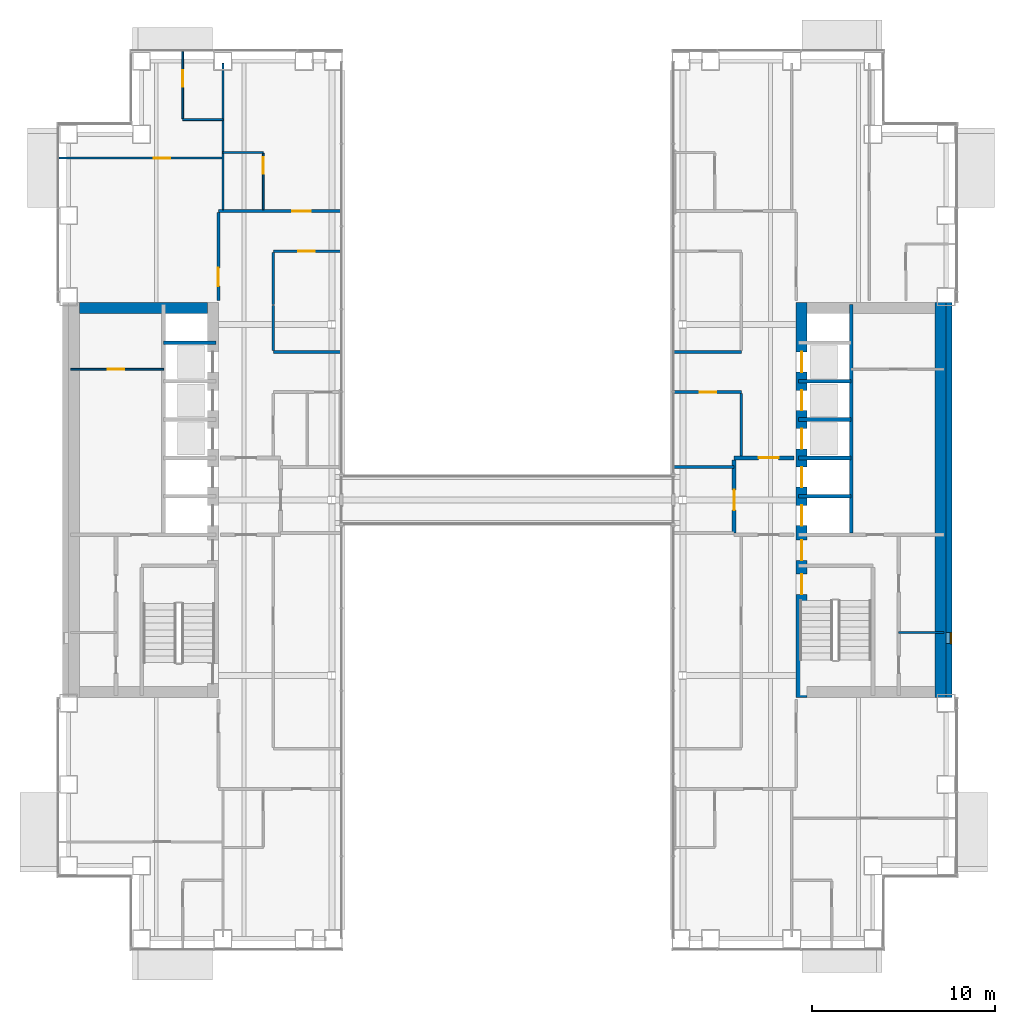
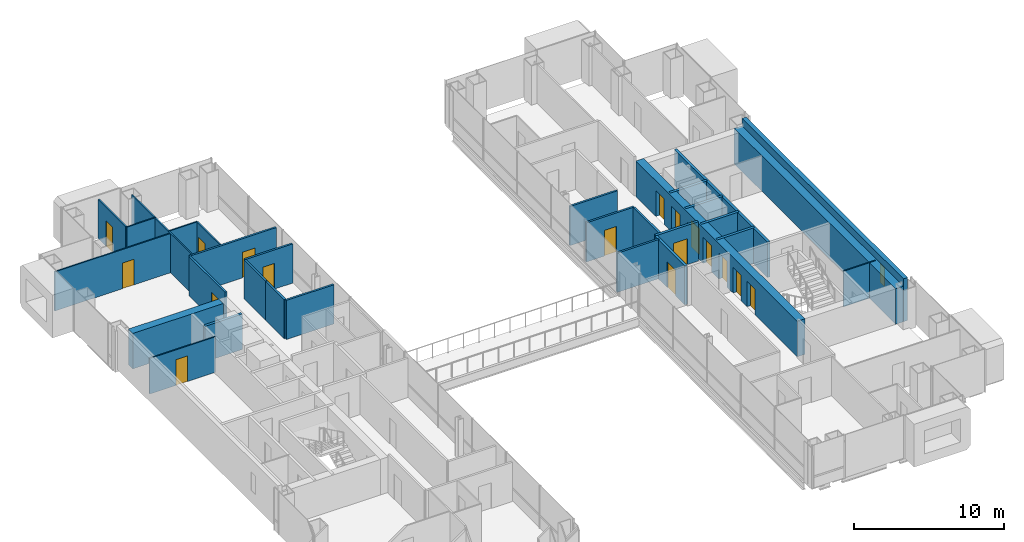
# One storey, part 16 of 21: 30 walls, 17 doors, 1 window, 18 openings.
"""IFC4 building model written with IfcOpenShell, lengths in metres."""

from ifc_helpers import new_model, si_unit, direction, frame, frame_2d, origin, place, context, subcontext, project, spatial, rectangle, extrude, material, layer, layer_set, type_object, element, fill, save


model = new_model("IFC4")

# Units and contexts
model_context = context("Model", 3, precision=1e-05, world=origin(), true_north=direction((0.0, 1.0)))
body_context = subcontext(model_context, "Body", "Model", "MODEL_VIEW")
ifc_project = project(units=[si_unit("LENGTHUNIT", "METRE"), si_unit("AREAUNIT", "SQUARE_METRE"), si_unit("VOLUMEUNIT", "CUBIC_METRE"), si_unit("PLANEANGLEUNIT", "RADIAN"), si_unit("MASSUNIT", "GRAM", prefix="KILO")], contexts=[model_context])

# Site, building, storey
site_placement = place(None, origin())
site = spatial("IfcSite", under=ifc_project, at=site_placement, CompositionType="ELEMENT")
building_placement = place(site_placement, origin())
building = spatial("IfcBuilding", under=site, at=building_placement, Name="Cobrizo Arcos Hotel Tower", CompositionType="ELEMENT")
storey_placement = place(building_placement, frame((0.0, 0.0, 81.0)))
storey = spatial("IfcBuildingStorey", under=building, at=storey_placement, Name="L19", CompositionType="ELEMENT", Elevation=81.0)

# Wall
ifc_material_1 = material(Name="Gypsum board partition")
ifc_layer_1 = layer(ifc_material_1, 0.14990234375)
ifc_layer_set_1 = layer_set([ifc_layer_1], Name="Corridor wall EI 60 150")
wall_type_1 = type_object("IfcWallType", Name="Corridor wall EI 60 150", PredefinedType="PARTITIONING", material=ifc_layer_set_1)
wall_1_placement = place(storey_placement, frame((9.1201171875, 1.800048828125, 0.0), z_axis=(0.0, 0.0, 1.0), x_axis=(1.0, 0.0, 0.0)))
element("IfcWall", 1, at=wall_1_placement, inside=storey, type_object=wall_type_1, Name="Partition 024", PredefinedType="PARTITIONING", context=body_context, shape_type="SweptSolid", body=[
    extrude(rectangle(XDim=3.27978515625, YDim=0.14990234375, at=frame_2d((1.639892578125, 0.0))), origin(), (0.0, 0.0, 1.0), 3.199951171875),
])

# Wall, opening, door
wall_2_placement = place(storey_placement, frame((9.1201171875, 5.89990234375, 0.0), z_axis=(0.0, 0.0, 1.0), x_axis=(1.0, 0.0, 0.0)))
wall_2 = element("IfcWall", 2, at=wall_2_placement, inside=storey, type_object=wall_type_1, Name="Partition 032", PredefinedType="PARTITIONING", context=body_context, shape_type="SweptSolid", body=[
    extrude(rectangle(XDim=3.679931640625, YDim=0.14990234375, at=frame_2d((1.83984375, 0.0))), origin(), (0.0, 0.0, 1.0), 3.199951171875),
])
opening_1_placement = place(wall_2_placement, frame((1.405029296875, 0.0, 0.0)))
opening_1 = element("IfcOpeningElement", 3, at=opening_1_placement, cuts=wall_2, Name="Opening RD-13", PredefinedType="OPENING", context=body_context, shape_type="SweptSolid", body=[
    extrude(rectangle(XDim=0.89990234375, YDim=2.10009765625, at=frame_2d((0.449951171875, 1.050048828125))), frame((0.0, 0.0869140625, 0.0), z_axis=(0.0, -1.0, 0.0), x_axis=(1.0, 0.0, 0.0)), (0.0, 0.0, 1.0), 0.173828125),
])
ifc_material_2 = material(Name="Timber door leaf", Category="wood")
door_type_1 = type_object("IfcDoorType", Name="Room door FD30 900x2100", OperationType="SINGLE_SWING_LEFT", PredefinedType="DOOR", material=ifc_material_2)
door_1_placement = place(opening_1_placement, origin())
door_1 = element("IfcDoor", 4, at=door_1_placement, inside=storey, type_object=door_type_1, Name="Door RD-13", OperationType="SINGLE_SWING_LEFT", OverallHeight=2.10009765625, OverallWidth=0.89990234375, PredefinedType="DOOR", context=body_context, shape_type="SweptSolid", body=[
    extrude(rectangle(XDim=0.89990234375, YDim=2.10009765625, at=frame_2d((0.449951171875, 1.050048828125))), frame((0.0, 0.02490234375, 0.0), z_axis=(0.0, -1.0, 0.0), x_axis=(1.0, 0.0, 0.0)), (0.0, 0.0, 1.0), 0.050048828125),
])
fill(opening_1, door_1)

# Walls
for number, where, z_axis, x_axis, name in (
    (5, (-12.800048828125, 8.10009765625, 0.0), (0.0, 0.0, 1.0), (1.0, 0.0, 0.0), "Partition 037"),
    (6, (9.1201171875, 8.10009765625, 0.0), (0.0, 0.0, 1.0), (1.0, 0.0, 0.0), "Partition 038"),
):
    element("IfcWall", number, at=place(storey_placement, frame(where, z_axis=z_axis, x_axis=x_axis)), inside=storey, type_object=wall_type_1, Name=name, PredefinedType="PARTITIONING", context=body_context, shape_type="SweptSolid", body=[
        extrude(rectangle(XDim=3.679931640625, YDim=0.14990234375, at=frame_2d((1.83984375, 0.0))), origin(), (0.0, 0.0, 1.0), 3.199951171875),
    ])

# Wall, opening, door
wall_3_placement = place(storey_placement, frame((-12.800048828125, 13.60009765625, 0.0), z_axis=(0.0, 0.0, 1.0), x_axis=(1.0, 0.0, 0.0)))
wall_3 = element("IfcWall", 7, at=wall_3_placement, inside=storey, type_object=wall_type_1, Name="Partition 041", PredefinedType="PARTITIONING", context=body_context, shape_type="SweptSolid", body=[
    extrude(rectangle(XDim=3.679931640625, YDim=0.14990234375, at=frame_2d((1.83984375, 0.0))), origin(), (0.0, 0.0, 1.0), 3.199951171875),
])
opening_2_placement = place(wall_3_placement, frame((1.375, 0.0, 0.0)))
opening_2 = element("IfcOpeningElement", 8, at=opening_2_placement, cuts=wall_3, Name="Opening RD-15", PredefinedType="OPENING", context=body_context, shape_type="SweptSolid", body=[
    extrude(rectangle(XDim=0.89990234375, YDim=2.10009765625, at=frame_2d((0.449951171875, 1.050048828125))), frame((0.0, 0.0869140625, 0.0), z_axis=(0.0, -1.0, 0.0), x_axis=(1.0, 0.0, 0.0)), (0.0, 0.0, 1.0), 0.173828125),
])
door_2_placement = place(opening_2_placement, origin())
door_2 = element("IfcDoor", 9, at=door_2_placement, inside=storey, type_object=door_type_1, Name="Door RD-15", OperationType="SINGLE_SWING_RIGHT", OverallHeight=2.10009765625, OverallWidth=0.89990234375, PredefinedType="DOOR", context=body_context, shape_type="SweptSolid", body=[
    extrude(rectangle(XDim=0.89990234375, YDim=2.10009765625, at=frame_2d((0.449951171875, 1.050048828125))), frame((0.0, 0.02490234375, 0.0), z_axis=(0.0, -1.0, 0.0), x_axis=(1.0, 0.0, 0.0)), (0.0, 0.0, 1.0), 0.050048828125),
])
fill(opening_2, door_2)

wall_4_placement = place(storey_placement, frame((-15.800048828125, 15.800048828125, 0.0), z_axis=(0.0, 0.0, 1.0), x_axis=(1.0, 0.0, 0.0)))
wall_4 = element("IfcWall", 10, at=wall_4_placement, inside=storey, type_object=wall_type_1, Name="Partition 044", PredefinedType="PARTITIONING", context=body_context, shape_type="SweptSolid", body=[
    extrude(rectangle(XDim=6.679931640625, YDim=0.14990234375, at=frame_2d((3.33984375, 0.0))), origin(), (0.0, 0.0, 1.0), 3.199951171875),
])
opening_3_placement = place(wall_4_placement, frame((4.047119140625, 0.0, 0.0)))
opening_3 = element("IfcOpeningElement", 11, at=opening_3_placement, cuts=wall_4, Name="Opening GD-02", PredefinedType="OPENING", context=body_context, shape_type="SweptSolid", body=[
    extrude(rectangle(XDim=1.0, YDim=2.10009765625, at=frame_2d((0.5, 1.050048828125))), frame((0.0, 0.0869140625, 0.0), z_axis=(0.0, -1.0, 0.0), x_axis=(1.0, 0.0, 0.0)), (0.0, 0.0, 1.0), 0.173828125),
])
door_type_2 = type_object("IfcDoorType", Name="Guest room door FD30S 1000x2100", OperationType="SINGLE_SWING_LEFT", PredefinedType="DOOR", material=ifc_material_2)
door_3_placement = place(opening_3_placement, origin())
door_3 = element("IfcDoor", 12, at=door_3_placement, inside=storey, type_object=door_type_2, Name="Door GD-02", OperationType="SINGLE_SWING_LEFT", OverallHeight=2.10009765625, OverallWidth=1.0, PredefinedType="DOOR", context=body_context, shape_type="SweptSolid", body=[
    extrude(rectangle(XDim=1.0, YDim=2.10009765625, at=frame_2d((0.5, 1.050048828125))), frame((0.0, 0.02490234375, 0.0), z_axis=(0.0, -1.0, 0.0), x_axis=(1.0, 0.0, 0.0)), (0.0, 0.0, 1.0), 0.050048828125),
])
fill(opening_3, door_3)

wall_5_placement = place(storey_placement, frame((-15.800048828125, 10.919921875, 0.0), z_axis=(0.0, 0.0, 1.0), x_axis=(0.0, 1.0, 0.0)))
wall_5 = element("IfcWall", 13, at=wall_5_placement, inside=storey, type_object=wall_type_1, Name="Partition 056", PredefinedType="PARTITIONING", context=body_context, shape_type="SweptSolid", body=[
    extrude(rectangle(XDim=4.80517578125, YDim=0.14990234375, at=frame_2d((2.402587890625, 0.0))), origin(), (0.0, 0.0, 1.0), 3.199951171875),
])
opening_4_placement = place(wall_5_placement, frame((0.780029296875, 0.0, 0.0)))
opening_4 = element("IfcOpeningElement", 14, at=opening_4_placement, cuts=wall_5, Name="Opening GD-06", PredefinedType="OPENING", context=body_context, shape_type="SweptSolid", body=[
    extrude(rectangle(XDim=1.0, YDim=2.10009765625, at=frame_2d((0.5, 1.050048828125))), frame((0.0, 0.0869140625, 0.0), z_axis=(0.0, -1.0, 0.0), x_axis=(1.0, 0.0, 0.0)), (0.0, 0.0, 1.0), 0.173828125),
])
door_4_placement = place(opening_4_placement, origin())
door_4 = element("IfcDoor", 15, at=door_4_placement, inside=storey, type_object=door_type_2, Name="Door GD-06", OperationType="SINGLE_SWING_LEFT", OverallHeight=2.10009765625, OverallWidth=1.0, PredefinedType="DOOR", context=body_context, shape_type="SweptSolid", body=[
    extrude(rectangle(XDim=1.0, YDim=2.10009765625, at=frame_2d((0.5, 1.050048828125))), frame((0.0, 0.02490234375, 0.0), z_axis=(0.0, -1.0, 0.0), x_axis=(1.0, 0.0, 0.0)), (0.0, 0.0, 1.0), 0.050048828125),
])
fill(opening_4, door_4)

# Walls
wall_6_placement = place(storey_placement, frame((-12.800048828125, 8.175048828125, 0.0), z_axis=(0.0, 0.0, 1.0), x_axis=(0.0, 1.0, 0.0)))
element("IfcWall", 16, at=wall_6_placement, inside=storey, type_object=wall_type_1, Name="Partition 063", PredefinedType="PARTITIONING", context=body_context, shape_type="SweptSolid", body=[
    extrude(rectangle(XDim=2.474853515625, YDim=0.14990234375, at=frame_2d((1.2373046875, 0.0))), origin(), (0.0, 0.0, 1.0), 3.199951171875),
])
wall_7_placement = place(storey_placement, frame((-12.800048828125, 10.699951171875, 0.0), z_axis=(0.0, 0.0, 1.0), x_axis=(0.0, 1.0, 0.0)))
element("IfcWall", 17, at=wall_7_placement, inside=storey, type_object=wall_type_1, Name="Partition 064", PredefinedType="PARTITIONING", context=body_context, shape_type="SweptSolid", body=[
    extrude(rectangle(XDim=2.824951171875, YDim=0.14990234375, at=frame_2d((1.41259765625, 0.0))), origin(), (0.0, 0.0, 1.0), 3.199951171875),
])
wall_8_placement = place(storey_placement, frame((12.800048828125, 2.39990234375, 0.0), z_axis=(0.0, 0.0, 1.0), x_axis=(0.0, 1.0, 0.0)))
element("IfcWall", 18, at=wall_8_placement, inside=storey, type_object=wall_type_1, Name="Partition 074", PredefinedType="PARTITIONING", context=body_context, shape_type="SweptSolid", body=[
    extrude(rectangle(XDim=3.425048828125, YDim=0.14990234375, at=frame_2d((1.71240234375, 0.0))), origin(), (0.0, 0.0, 1.0), 3.199951171875),
])

# Wall, opening, window
ifc_material_3 = material(Name="Aluminium composite panel pale metal", Category="aluminium")
ifc_layer_2 = layer(ifc_material_3, 0.324951171875)
ifc_layer_set_2 = layer_set([ifc_layer_2], Name="EW-1 insulated panel wall 325")
wall_type_2 = type_object("IfcWallType", Name="EW-1 insulated panel wall 325", PredefinedType="SOLIDWALL", material=ifc_layer_set_2)
wall_9_placement = place(storey_placement, frame((24.16259765625, -10.800048828125, 0.0), z_axis=(0.0, 0.0, 1.0), x_axis=(0.0, 1.0, 0.0)))
wall_9 = element("IfcWall", 19, at=wall_9_placement, inside=storey, type_object=wall_type_2, Name="Core face wall L19 E", PredefinedType="SOLIDWALL", context=body_context, shape_type="SweptSolid", body=[
    extrude(rectangle(XDim=21.60009765625, YDim=0.324951171875, at=frame_2d((10.800048828125, 0.0))), origin(), (0.0, 0.0, 1.0), 3.5),
])
opening_5_placement = place(wall_9_placement, frame((2.949951171875, 0.0, 1.0)))
opening_5 = element("IfcOpeningElement", 20, at=opening_5_placement, cuts=wall_9, Name="Opening W-33", PredefinedType="OPENING", context=body_context, shape_type="SweptSolid", body=[
    extrude(rectangle(XDim=0.60009765625, YDim=1.5, at=frame_2d((0.300048828125, 0.75))), frame((0.0, 0.174560546875, 0.0), z_axis=(0.0, -1.0, 0.0), x_axis=(1.0, 0.0, 0.0)), (0.0, 0.0, 1.0), 0.348876953125),
])
ifc_material_4 = material(Name="Aluminium 6063-T6 and clear laminated glass", Category="aluminium")
window_type = type_object("IfcWindowType", Name="W-C1 core stair slot window 600x1500", PartitioningType="SINGLE_PANEL", PredefinedType="WINDOW", material=ifc_material_4)
window_placement = place(opening_5_placement, origin())
window = element("IfcWindow", 21, at=window_placement, inside=storey, type_object=window_type, Name="Core face wall L19 E window W-33", OverallHeight=1.5, OverallWidth=0.60009765625, PartitioningType="SINGLE_PANEL", PredefinedType="WINDOW", context=body_context, shape_type="SweptSolid", body=[
    extrude(rectangle(XDim=0.60009765625, YDim=1.5, at=frame_2d((0.300048828125, 0.75))), frame((0.0, -0.072509765625, 0.0), z_axis=(0.0, -1.0, 0.0), x_axis=(1.0, 0.0, 0.0)), (0.0, 0.0, 1.0), 0.06005859375),
])
fill(opening_5, window)

# Wall
ifc_layer_3 = layer(ifc_material_1, 0.10009765625)
ifc_layer_set_3 = layer_set([ifc_layer_3], Name="Partition EI 30 100")
wall_type_3 = type_object("IfcWallType", Name="Partition EI 30 100", PredefinedType="PARTITIONING", material=ifc_layer_set_3)
wall_10_placement = place(storey_placement, frame((21.39990234375, -7.25, 0.0), z_axis=(0.0, 0.0, 1.0), x_axis=(1.0, 0.0, 0.0)))
element("IfcWall", 22, at=wall_10_placement, inside=storey, type_object=wall_type_3, Name="Partition 012", PredefinedType="PARTITIONING", context=body_context, shape_type="SweptSolid", body=[
    extrude(rectangle(XDim=2.47998046875, YDim=0.10009765625, at=frame_2d((1.239990234375, 0.0))), origin(), (0.0, 0.0, 1.0), 2.89990234375),
])

# Wall, opening, door
wall_11_placement = place(storey_placement, frame((-23.8798828125, 7.14990234375, 0.0), z_axis=(0.0, 0.0, 1.0), x_axis=(1.0, 0.0, 0.0)))
wall_11 = element("IfcWall", 23, at=wall_11_placement, inside=storey, type_object=wall_type_3, Name="Partition 035", PredefinedType="PARTITIONING", context=body_context, shape_type="SweptSolid", body=[
    extrude(rectangle(XDim=5.079833984375, YDim=0.10009765625, at=frame_2d((2.5400390625, 0.0))), origin(), (0.0, 0.0, 1.0), 2.89990234375),
])
opening_6_placement = place(wall_11_placement, frame((2.030029296875, 0.0, 0.0)))
opening_6 = element("IfcOpeningElement", 24, at=opening_6_placement, cuts=wall_11, Name="Opening RD-04", PredefinedType="OPENING", context=body_context, shape_type="SweptSolid", body=[
    extrude(rectangle(XDim=0.89990234375, YDim=2.10009765625, at=frame_2d((0.449951171875, 1.050048828125))), frame((0.0, 0.06201171875, 0.0), z_axis=(0.0, -1.0, 0.0), x_axis=(1.0, 0.0, 0.0)), (0.0, 0.0, 1.0), 0.1240234375),
])
door_5_placement = place(opening_6_placement, origin())
door_5 = element("IfcDoor", 25, at=door_5_placement, inside=storey, type_object=door_type_1, Name="Door RD-04", OperationType="SINGLE_SWING_RIGHT", OverallHeight=2.10009765625, OverallWidth=0.89990234375, PredefinedType="DOOR", context=body_context, shape_type="SweptSolid", body=[
    extrude(rectangle(XDim=0.89990234375, YDim=2.10009765625, at=frame_2d((0.449951171875, 1.050048828125))), frame((0.0, 0.02490234375, 0.0), z_axis=(0.0, -1.0, 0.0), x_axis=(1.0, 0.0, 0.0)), (0.0, 0.0, 1.0), 0.050048828125),
])
fill(opening_6, door_5)

wall_12_placement = place(storey_placement, frame((-24.530029296875, 18.699951171875, 0.0), z_axis=(0.0, 0.0, 1.0), x_axis=(1.0, 0.0, 0.0)))
wall_12 = element("IfcWall", 26, at=wall_12_placement, inside=storey, type_object=wall_type_3, Name="Partition 046", PredefinedType="PARTITIONING", context=body_context, shape_type="SweptSolid", body=[
    extrude(rectangle(XDim=8.97998046875, YDim=0.10009765625, at=frame_2d((4.489990234375, 0.0))), origin(), (0.0, 0.0, 1.0), 3.199951171875),
])
opening_7_placement = place(wall_12_placement, frame((5.201904296875, 0.0, 0.0)))
opening_7 = element("IfcOpeningElement", 27, at=opening_7_placement, cuts=wall_12, Name="Opening RD-10", PredefinedType="OPENING", context=body_context, shape_type="SweptSolid", body=[
    extrude(rectangle(XDim=0.89990234375, YDim=2.10009765625, at=frame_2d((0.449951171875, 1.050048828125))), frame((0.0, 0.06201171875, 0.0), z_axis=(0.0, -1.0, 0.0), x_axis=(1.0, 0.0, 0.0)), (0.0, 0.0, 1.0), 0.1240234375),
])
door_6_placement = place(opening_7_placement, origin())
door_6 = element("IfcDoor", 28, at=door_6_placement, inside=storey, type_object=door_type_1, Name="Door RD-10", OperationType="SINGLE_SWING_LEFT", OverallHeight=2.10009765625, OverallWidth=0.89990234375, PredefinedType="DOOR", context=body_context, shape_type="SweptSolid", body=[
    extrude(rectangle(XDim=0.89990234375, YDim=2.10009765625, at=frame_2d((0.449951171875, 1.050048828125))), frame((0.0, 0.02490234375, 0.0), z_axis=(0.0, -1.0, 0.0), x_axis=(1.0, 0.0, 0.0)), (0.0, 0.0, 1.0), 0.050048828125),
])
fill(opening_7, door_6)

# Walls
for number, where, z_axis, x_axis, name in (
    (29, (-15.550048828125, 19.0, 0.0), (0.0, 0.0, 1.0), (1.0, 0.0, 0.0), "Partition 047"),
    (30, (-17.75, 20.800048828125, 0.0), (0.0, 0.0, 1.0), (1.0, 0.0, 0.0), "Partition 049"),
):
    element("IfcWall", number, at=place(storey_placement, frame(where, z_axis=z_axis, x_axis=x_axis)), inside=storey, type_object=wall_type_3, Name=name, PredefinedType="PARTITIONING", context=body_context, shape_type="SweptSolid", body=[
        extrude(rectangle(XDim=2.199951171875, YDim=0.10009765625, at=frame_2d((1.10009765625, 0.0))), origin(), (0.0, 0.0, 1.0), 3.199951171875),
    ])

# Wall, opening, door
wall_13_placement = place(storey_placement, frame((-17.75, 20.85009765625, 0.0), z_axis=(0.0, 0.0, 1.0), x_axis=(0.0, 1.0, 0.0)))
wall_13 = element("IfcWall", 31, at=wall_13_placement, inside=storey, type_object=wall_type_3, Name="Partition 054", PredefinedType="PARTITIONING", context=body_context, shape_type="SweptSolid", body=[
    extrude(rectangle(XDim=3.679931640625, YDim=0.10009765625, at=frame_2d((1.83984375, 0.0))), origin(), (0.0, 0.0, 1.0), 3.199951171875),
])
opening_8_placement = place(wall_13_placement, frame((1.739990234375, 0.0, 0.0)))
opening_8 = element("IfcOpeningElement", 32, at=opening_8_placement, cuts=wall_13, Name="Opening ED-06", PredefinedType="OPENING", context=body_context, shape_type="SweptSolid", body=[
    extrude(rectangle(XDim=0.89990234375, YDim=2.10009765625, at=frame_2d((0.449951171875, 1.050048828125))), frame((0.0, 0.06201171875, 0.0), z_axis=(0.0, -1.0, 0.0), x_axis=(1.0, 0.0, 0.0)), (0.0, 0.0, 1.0), 0.1240234375),
])
door_type_3 = type_object("IfcDoorType", Name="En-suite door 900x2100", OperationType="SINGLE_SWING_LEFT", PredefinedType="DOOR", material=ifc_material_2)
door_7_placement = place(opening_8_placement, origin())
door_7 = element("IfcDoor", 33, at=door_7_placement, inside=storey, type_object=door_type_3, Name="Door ED-06", OperationType="SINGLE_SWING_RIGHT", OverallHeight=2.10009765625, OverallWidth=0.89990234375, PredefinedType="DOOR", context=body_context, shape_type="SweptSolid", body=[
    extrude(rectangle(XDim=0.89990234375, YDim=2.10009765625, at=frame_2d((0.449951171875, 1.050048828125))), frame((0.0, 0.02490234375, 0.0), z_axis=(0.0, -1.0, 0.0), x_axis=(1.0, 0.0, 0.0)), (0.0, 0.0, 1.0), 0.050048828125),
])
fill(opening_8, door_7)

# Wall
wall_14_placement = place(storey_placement, frame((-15.550048828125, 15.875, 0.0), z_axis=(0.0, 0.0, 1.0), x_axis=(0.0, 1.0, 0.0)))
element("IfcWall", 34, at=wall_14_placement, inside=storey, type_object=wall_type_3, Name="Partition 058", PredefinedType="PARTITIONING", context=body_context, shape_type="SweptSolid", body=[
    extrude(rectangle(XDim=8.0048828125, YDim=0.10009765625, at=frame_2d((4.00244140625, 0.0))), origin(), (0.0, 0.0, 1.0), 3.199951171875),
])

# Wall, opening, door
wall_15_placement = place(storey_placement, frame((-13.35009765625, 15.875, 0.0), z_axis=(0.0, 0.0, 1.0), x_axis=(0.0, 1.0, 0.0)))
wall_15 = element("IfcWall", 35, at=wall_15_placement, inside=storey, type_object=wall_type_3, Name="Partition 060", PredefinedType="PARTITIONING", context=body_context, shape_type="SweptSolid", body=[
    extrude(rectangle(XDim=3.074951171875, YDim=0.10009765625, at=frame_2d((1.53759765625, 0.0))), origin(), (0.0, 0.0, 1.0), 3.199951171875),
])
opening_9_placement = place(wall_15_placement, frame((1.970947265625, 0.0, 0.0)))
opening_9 = element("IfcOpeningElement", 36, at=opening_9_placement, cuts=wall_15, Name="Opening ED-02", PredefinedType="OPENING", context=body_context, shape_type="SweptSolid", body=[
    extrude(rectangle(XDim=0.89990234375, YDim=2.10009765625, at=frame_2d((0.449951171875, 1.050048828125))), frame((0.0, 0.06201171875, 0.0), z_axis=(0.0, -1.0, 0.0), x_axis=(1.0, 0.0, 0.0)), (0.0, 0.0, 1.0), 0.1240234375),
])
door_8_placement = place(opening_9_placement, origin())
door_8 = element("IfcDoor", 37, at=door_8_placement, inside=storey, type_object=door_type_3, Name="Door ED-02", OperationType="SINGLE_SWING_RIGHT", OverallHeight=2.10009765625, OverallWidth=0.89990234375, PredefinedType="DOOR", context=body_context, shape_type="SweptSolid", body=[
    extrude(rectangle(XDim=0.89990234375, YDim=2.10009765625, at=frame_2d((0.449951171875, 1.050048828125))), frame((0.0, 0.02490234375, 0.0), z_axis=(0.0, -1.0, 0.0), x_axis=(1.0, 0.0, 0.0)), (0.0, 0.0, 1.0), 0.050048828125),
])
fill(opening_9, door_8)

# Wall, openings, doors
ifc_material_5 = material(Name="Concrete f'c 60 MPa", Category="concrete")
ifc_layer_4 = layer(ifc_material_5, 0.60009765625)
ifc_layer_set_4 = layer_set([ifc_layer_4], Name="RC core wall 600 f'c 60")
wall_type_4 = type_object("IfcWallType", Name="RC core wall 600 f'c 60", PredefinedType="SHEAR", material=ifc_layer_set_4)
wall_16_placement = place(storey_placement, frame((16.10009765625, -10.800048828125, 0.0), z_axis=(0.0, 0.0, 1.0), x_axis=(0.0, 1.0, 0.0)))
wall_16 = element("IfcWall", 38, at=wall_16_placement, inside=storey, type_object=wall_type_4, Name="Core wall CW1, east core, inner face, L19", PredefinedType="SHEAR", context=body_context, shape_type="SweptSolid", body=[
    extrude(rectangle(XDim=21.60009765625, YDim=0.60009765625, at=frame_2d((10.800048828125, 0.0))), origin(), (0.0, 0.0, 1.0), 2.89990234375),
])
opening_10_placement = place(wall_16_placement, frame((9.39990234375, 0.0, 0.0)))
opening_10 = element("IfcOpeningElement", 39, at=opening_10_placement, cuts=wall_16, Name="Opening LD-06", PredefinedType="OPENING", context=body_context, shape_type="SweptSolid", body=[
    extrude(rectangle(XDim=1.10009765625, YDim=2.10009765625, at=frame_2d((0.550048828125, 1.050048828125))), frame((0.0, 0.31201171875, 0.0), z_axis=(0.0, -1.0, 0.0), x_axis=(1.0, 0.0, 0.0)), (0.0, 0.0, 1.0), 0.6240234375),
])
opening_11_placement = place(wall_16_placement, frame((11.5, 0.0, 0.0)))
opening_11 = element("IfcOpeningElement", 40, at=opening_11_placement, cuts=wall_16, Name="Opening LD-07", PredefinedType="OPENING", context=body_context, shape_type="SweptSolid", body=[
    extrude(rectangle(XDim=1.10009765625, YDim=2.10009765625, at=frame_2d((0.550048828125, 1.050048828125))), frame((0.0, 0.31201171875, 0.0), z_axis=(0.0, -1.0, 0.0), x_axis=(1.0, 0.0, 0.0)), (0.0, 0.0, 1.0), 0.6240234375),
])
opening_12_placement = place(wall_16_placement, frame((13.60009765625, 0.0, 0.0)))
opening_12 = element("IfcOpeningElement", 41, at=opening_12_placement, cuts=wall_16, Name="Opening LD-08", PredefinedType="OPENING", context=body_context, shape_type="SweptSolid", body=[
    extrude(rectangle(XDim=1.10009765625, YDim=2.10009765625, at=frame_2d((0.550048828125, 1.050048828125))), frame((0.0, 0.31201171875, 0.0), z_axis=(0.0, -1.0, 0.0), x_axis=(1.0, 0.0, 0.0)), (0.0, 0.0, 1.0), 0.6240234375),
])
opening_13_placement = place(wall_16_placement, frame((15.699951171875, 0.0, 0.0)))
opening_13 = element("IfcOpeningElement", 42, at=opening_13_placement, cuts=wall_16, Name="Opening LD-09", PredefinedType="OPENING", context=body_context, shape_type="SweptSolid", body=[
    extrude(rectangle(XDim=1.10009765625, YDim=2.10009765625, at=frame_2d((0.550048828125, 1.050048828125))), frame((0.0, 0.31201171875, 0.0), z_axis=(0.0, -1.0, 0.0), x_axis=(1.0, 0.0, 0.0)), (0.0, 0.0, 1.0), 0.6240234375),
])
opening_14_placement = place(wall_16_placement, frame((17.800048828125, 0.0, 0.0)))
opening_14 = element("IfcOpeningElement", 43, at=opening_14_placement, cuts=wall_16, Name="Opening LD-10", PredefinedType="OPENING", context=body_context, shape_type="SweptSolid", body=[
    extrude(rectangle(XDim=1.10009765625, YDim=2.10009765625, at=frame_2d((0.550048828125, 1.050048828125))), frame((0.0, 0.31201171875, 0.0), z_axis=(0.0, -1.0, 0.0), x_axis=(1.0, 0.0, 0.0)), (0.0, 0.0, 1.0), 0.6240234375),
])
opening_15_placement = place(wall_16_placement, frame((5.64208984375, 0.0, 0.0)))
opening_15 = element("IfcOpeningElement", 44, at=opening_15_placement, cuts=wall_16, Name="Opening SD-02", PredefinedType="OPENING", context=body_context, shape_type="SweptSolid", body=[
    extrude(rectangle(XDim=1.10009765625, YDim=2.10009765625, at=frame_2d((0.550048828125, 1.050048828125))), frame((0.0, 0.31201171875, 0.0), z_axis=(0.0, -1.0, 0.0), x_axis=(1.0, 0.0, 0.0)), (0.0, 0.0, 1.0), 0.6240234375),
])
opening_16_placement = place(wall_16_placement, frame((7.5, 0.0, 0.0)))
opening_16 = element("IfcOpeningElement", 45, at=opening_16_placement, cuts=wall_16, Name="Opening FD-05", PredefinedType="OPENING", context=body_context, shape_type="SweptSolid", body=[
    extrude(rectangle(XDim=1.10009765625, YDim=2.10009765625, at=frame_2d((0.550048828125, 1.050048828125))), frame((0.0, 0.31201171875, 0.0), z_axis=(0.0, -1.0, 0.0), x_axis=(1.0, 0.0, 0.0)), (0.0, 0.0, 1.0), 0.6240234375),
])
ifc_material_6 = material(Name="Steel door leaf", Category="steel")
door_type_4 = type_object("IfcDoorType", Name="Fire door FD60 1100x2100", OperationType="SINGLE_SWING_LEFT", PredefinedType="DOOR", material=ifc_material_6)
door_9_placement = place(opening_16_placement, origin())
door_9 = element("IfcDoor", 46, at=door_9_placement, inside=storey, type_object=door_type_4, Name="Door FD-05", OperationType="SINGLE_SWING_LEFT", OverallHeight=2.10009765625, OverallWidth=1.10009765625, PredefinedType="DOOR", context=body_context, shape_type="SweptSolid", body=[
    extrude(rectangle(XDim=1.10009765625, YDim=2.10009765625, at=frame_2d((0.550048828125, 1.050048828125))), frame((0.0, 0.02490234375, 0.0), z_axis=(0.0, -1.0, 0.0), x_axis=(1.0, 0.0, 0.0)), (0.0, 0.0, 1.0), 0.050048828125),
])
fill(opening_16, door_9)
door_type_5 = type_object("IfcDoorType", Name="Lift landing door 1100x2100", OperationType="SLIDING_TO_LEFT", PredefinedType="DOOR", material=ifc_material_6)
door_10_placement = place(opening_10_placement, origin())
door_10 = element("IfcDoor", 47, at=door_10_placement, inside=storey, type_object=door_type_5, Name="Lift landing door LD-06", OperationType="SLIDING_TO_LEFT", OverallHeight=2.10009765625, OverallWidth=1.10009765625, PredefinedType="DOOR", context=body_context, shape_type="SweptSolid", body=[
    extrude(rectangle(XDim=1.10009765625, YDim=2.10009765625, at=frame_2d((0.550048828125, 1.050048828125))), frame((0.0, 0.02490234375, 0.0), z_axis=(0.0, -1.0, 0.0), x_axis=(1.0, 0.0, 0.0)), (0.0, 0.0, 1.0), 0.050048828125),
])
fill(opening_10, door_10)
door_11_placement = place(opening_11_placement, origin())
door_11 = element("IfcDoor", 48, at=door_11_placement, inside=storey, type_object=door_type_5, Name="Lift landing door LD-07", OperationType="SLIDING_TO_LEFT", OverallHeight=2.10009765625, OverallWidth=1.10009765625, PredefinedType="DOOR", context=body_context, shape_type="SweptSolid", body=[
    extrude(rectangle(XDim=1.10009765625, YDim=2.10009765625, at=frame_2d((0.550048828125, 1.050048828125))), frame((0.0, 0.02490234375, 0.0), z_axis=(0.0, -1.0, 0.0), x_axis=(1.0, 0.0, 0.0)), (0.0, 0.0, 1.0), 0.050048828125),
])
fill(opening_11, door_11)
door_12_placement = place(opening_12_placement, origin())
door_12 = element("IfcDoor", 49, at=door_12_placement, inside=storey, type_object=door_type_5, Name="Lift landing door LD-08", OperationType="SLIDING_TO_LEFT", OverallHeight=2.10009765625, OverallWidth=1.10009765625, PredefinedType="DOOR", context=body_context, shape_type="SweptSolid", body=[
    extrude(rectangle(XDim=1.10009765625, YDim=2.10009765625, at=frame_2d((0.550048828125, 1.050048828125))), frame((0.0, 0.02490234375, 0.0), z_axis=(0.0, -1.0, 0.0), x_axis=(1.0, 0.0, 0.0)), (0.0, 0.0, 1.0), 0.050048828125),
])
fill(opening_12, door_12)
door_13_placement = place(opening_13_placement, origin())
door_13 = element("IfcDoor", 50, at=door_13_placement, inside=storey, type_object=door_type_5, Name="Lift landing door LD-09", OperationType="SLIDING_TO_LEFT", OverallHeight=2.10009765625, OverallWidth=1.10009765625, PredefinedType="DOOR", context=body_context, shape_type="SweptSolid", body=[
    extrude(rectangle(XDim=1.10009765625, YDim=2.10009765625, at=frame_2d((0.550048828125, 1.050048828125))), frame((0.0, 0.02490234375, 0.0), z_axis=(0.0, -1.0, 0.0), x_axis=(1.0, 0.0, 0.0)), (0.0, 0.0, 1.0), 0.050048828125),
])
fill(opening_13, door_13)
door_14_placement = place(opening_14_placement, origin())
door_14 = element("IfcDoor", 51, at=door_14_placement, inside=storey, type_object=door_type_5, Name="Lift landing door LD-10", OperationType="SLIDING_TO_LEFT", OverallHeight=2.10009765625, OverallWidth=1.10009765625, PredefinedType="DOOR", context=body_context, shape_type="SweptSolid", body=[
    extrude(rectangle(XDim=1.10009765625, YDim=2.10009765625, at=frame_2d((0.550048828125, 1.050048828125))), frame((0.0, 0.02490234375, 0.0), z_axis=(0.0, -1.0, 0.0), x_axis=(1.0, 0.0, 0.0)), (0.0, 0.0, 1.0), 0.050048828125),
])
fill(opening_14, door_14)
door_type_6 = type_object("IfcDoorType", Name="Stair door FD60S 1100x2100", OperationType="SINGLE_SWING_LEFT", PredefinedType="DOOR", material=ifc_material_6)
door_15_placement = place(opening_15_placement, origin())
door_15 = element("IfcDoor", 52, at=door_15_placement, inside=storey, type_object=door_type_6, Name="Door SD-02", OperationType="SINGLE_SWING_RIGHT", OverallHeight=2.10009765625, OverallWidth=1.10009765625, PredefinedType="DOOR", context=body_context, shape_type="SweptSolid", body=[
    extrude(rectangle(XDim=1.10009765625, YDim=2.10009765625, at=frame_2d((0.550048828125, 1.050048828125))), frame((0.0, 0.02490234375, 0.0), z_axis=(0.0, -1.0, 0.0), x_axis=(1.0, 0.0, 0.0)), (0.0, 0.0, 1.0), 0.050048828125),
])
fill(opening_15, door_15)

# Walls
wall_17_placement = place(storey_placement, frame((23.699951171875, -10.800048828125, 0.0), z_axis=(0.0, 0.0, 1.0), x_axis=(0.0, 1.0, 0.0)))
element("IfcWall", 53, at=wall_17_placement, inside=storey, type_object=wall_type_4, Name="Core wall CW1, east core, outer face, L19", PredefinedType="SHEAR", context=body_context, shape_type="SweptSolid", body=[
    extrude(rectangle(XDim=21.60009765625, YDim=0.60009765625, at=frame_2d((10.800048828125, 0.0))), origin(), (0.0, 0.0, 1.0), 2.89990234375),
])
wall_18_placement = place(storey_placement, frame((-23.39990234375, 10.5, 0.0), z_axis=(0.0, 0.0, 1.0), x_axis=(1.0, 0.0, 0.0)))
element("IfcWall", 54, at=wall_18_placement, inside=storey, type_object=wall_type_4, Name="Core wall CW1, west core, north end, L19", PredefinedType="SHEAR", context=body_context, shape_type="SweptSolid", body=[
    extrude(rectangle(XDim=7.0, YDim=0.60009765625, at=frame_2d((3.5, 0.0))), origin(), (0.0, 0.0, 1.0), 2.89990234375),
])
ifc_layer_5 = layer(ifc_material_1, 0.199951171875)
ifc_layer_set_5 = layer_set([ifc_layer_5], Name="Shaft wall EI 120 200")
wall_type_5 = type_object("IfcWallType", Name="Shaft wall EI 120 200", PredefinedType="PARTITIONING", material=ifc_layer_set_5)
wall_19_placement = place(storey_placement, frame((15.919921875, 0.199951171875, 0.0), z_axis=(0.0, 0.0, 1.0), x_axis=(1.0, 0.0, 0.0)))
element("IfcWall", 55, at=wall_19_placement, inside=storey, type_object=wall_type_5, Name="Partition 022", PredefinedType="PARTITIONING", context=body_context, shape_type="SweptSolid", body=[
    extrude(rectangle(XDim=2.880126953125, YDim=0.199951171875, at=frame_2d((1.43994140625, 0.0))), origin(), (0.0, 0.0, 1.0), 2.89990234375),
])

# Wall, opening, door
wall_20_placement = place(storey_placement, frame((12.39990234375, 2.300048828125, 0.0), z_axis=(0.0, 0.0, 1.0), x_axis=(1.0, 0.0, 0.0)))
wall_20 = element("IfcWall", 56, at=wall_20_placement, inside=storey, type_object=wall_type_5, Name="Partition 027", PredefinedType="PARTITIONING", context=body_context, shape_type="SweptSolid", body=[
    extrude(rectangle(XDim=3.280029296875, YDim=0.199951171875, at=frame_2d((1.64013671875, 0.0))), origin(), (0.0, 0.0, 1.0), 3.199951171875),
])
opening_17_placement = place(wall_20_placement, frame((1.340087890625, 0.0, 0.0)))
opening_17 = element("IfcOpeningElement", 57, at=opening_17_placement, cuts=wall_20, Name="Opening FD-08", PredefinedType="OPENING", context=body_context, shape_type="SweptSolid", body=[
    extrude(rectangle(XDim=1.10009765625, YDim=2.10009765625, at=frame_2d((0.550048828125, 1.050048828125))), frame((0.0, 0.112060546875, 0.0), z_axis=(0.0, -1.0, 0.0), x_axis=(1.0, 0.0, 0.0)), (0.0, 0.0, 1.0), 0.223876953125),
])
door_16_placement = place(opening_17_placement, origin())
door_16 = element("IfcDoor", 58, at=door_16_placement, inside=storey, type_object=door_type_4, Name="Door FD-08", OperationType="SINGLE_SWING_LEFT", OverallHeight=2.10009765625, OverallWidth=1.10009765625, PredefinedType="DOOR", context=body_context, shape_type="SweptSolid", body=[
    extrude(rectangle(XDim=1.10009765625, YDim=2.10009765625, at=frame_2d((0.550048828125, 1.050048828125))), frame((0.0, 0.02490234375, 0.0), z_axis=(0.0, -1.0, 0.0), x_axis=(1.0, 0.0, 0.0)), (0.0, 0.0, 1.0), 0.050048828125),
])
fill(opening_17, door_16)

# Walls
for number, where, z_axis, x_axis, name in (
    (59, (15.919921875, 2.300048828125, 0.0), (0.0, 0.0, 1.0), (1.0, 0.0, 0.0), "Partition 028"),
    (60, (15.919921875, 4.39990234375, 0.0), (0.0, 0.0, 1.0), (1.0, 0.0, 0.0), "Partition 030"),
    (61, (15.919921875, 6.5, 0.0), (0.0, 0.0, 1.0), (1.0, 0.0, 0.0), "Partition 034"),
    (62, (-18.800048828125, 8.60009765625, 0.0), (0.0, 0.0, 1.0), (1.0, 0.0, 0.0), "Partition 039"),
):
    element("IfcWall", number, at=place(storey_placement, frame(where, z_axis=z_axis, x_axis=x_axis)), inside=storey, type_object=wall_type_5, Name=name, PredefinedType="PARTITIONING", context=body_context, shape_type="SweptSolid", body=[
        extrude(rectangle(XDim=2.880126953125, YDim=0.199951171875, at=frame_2d((1.43994140625, 0.0))), origin(), (0.0, 0.0, 1.0), 2.89990234375),
    ])

# Wall, opening, door
wall_21_placement = place(storey_placement, frame((12.39990234375, -1.800048828125, 0.0), z_axis=(0.0, 0.0, 1.0), x_axis=(0.0, 1.0, 0.0)))
wall_21 = element("IfcWall", 63, at=wall_21_placement, inside=storey, type_object=wall_type_5, Name="Partition 072", PredefinedType="PARTITIONING", context=body_context, shape_type="SweptSolid", body=[
    extrude(rectangle(XDim=4.0, YDim=0.199951171875, at=frame_2d((2.0, 0.0))), origin(), (0.0, 0.0, 1.0), 3.199951171875),
])
opening_18_placement = place(wall_21_placement, frame((1.25, 0.0, 0.0)))
opening_18 = element("IfcOpeningElement", 64, at=opening_18_placement, cuts=wall_21, Name="Opening FD-06", PredefinedType="OPENING", context=body_context, shape_type="SweptSolid", body=[
    extrude(rectangle(XDim=1.10009765625, YDim=2.10009765625, at=frame_2d((0.550048828125, 1.050048828125))), frame((0.0, 0.112060546875, 0.0), z_axis=(0.0, -1.0, 0.0), x_axis=(1.0, 0.0, 0.0)), (0.0, 0.0, 1.0), 0.223876953125),
])
door_17_placement = place(opening_18_placement, origin())
door_17 = element("IfcDoor", 65, at=door_17_placement, inside=storey, type_object=door_type_4, Name="Door FD-06", OperationType="SINGLE_SWING_LEFT", OverallHeight=2.10009765625, OverallWidth=1.10009765625, PredefinedType="DOOR", context=body_context, shape_type="SweptSolid", body=[
    extrude(rectangle(XDim=1.10009765625, YDim=2.10009765625, at=frame_2d((0.550048828125, 1.050048828125))), frame((0.0, 0.02490234375, 0.0), z_axis=(0.0, -1.0, 0.0), x_axis=(1.0, 0.0, 0.0)), (0.0, 0.0, 1.0), 0.050048828125),
])
fill(opening_18, door_17)

# Wall
wall_22_placement = place(storey_placement, frame((18.800048828125, -1.800048828125, 0.0), z_axis=(0.0, 0.0, 1.0), x_axis=(0.0, 1.0, 0.0)))
element("IfcWall", 66, at=wall_22_placement, inside=storey, type_object=wall_type_5, Name="Partition 082", PredefinedType="PARTITIONING", context=body_context, shape_type="SweptSolid", body=[
    extrude(rectangle(XDim=12.47998046875, YDim=0.199951171875, at=frame_2d((6.239990234375, 0.0))), origin(), (0.0, 0.0, 1.0), 2.89990234375),
])

save(model, "model.ifc")
